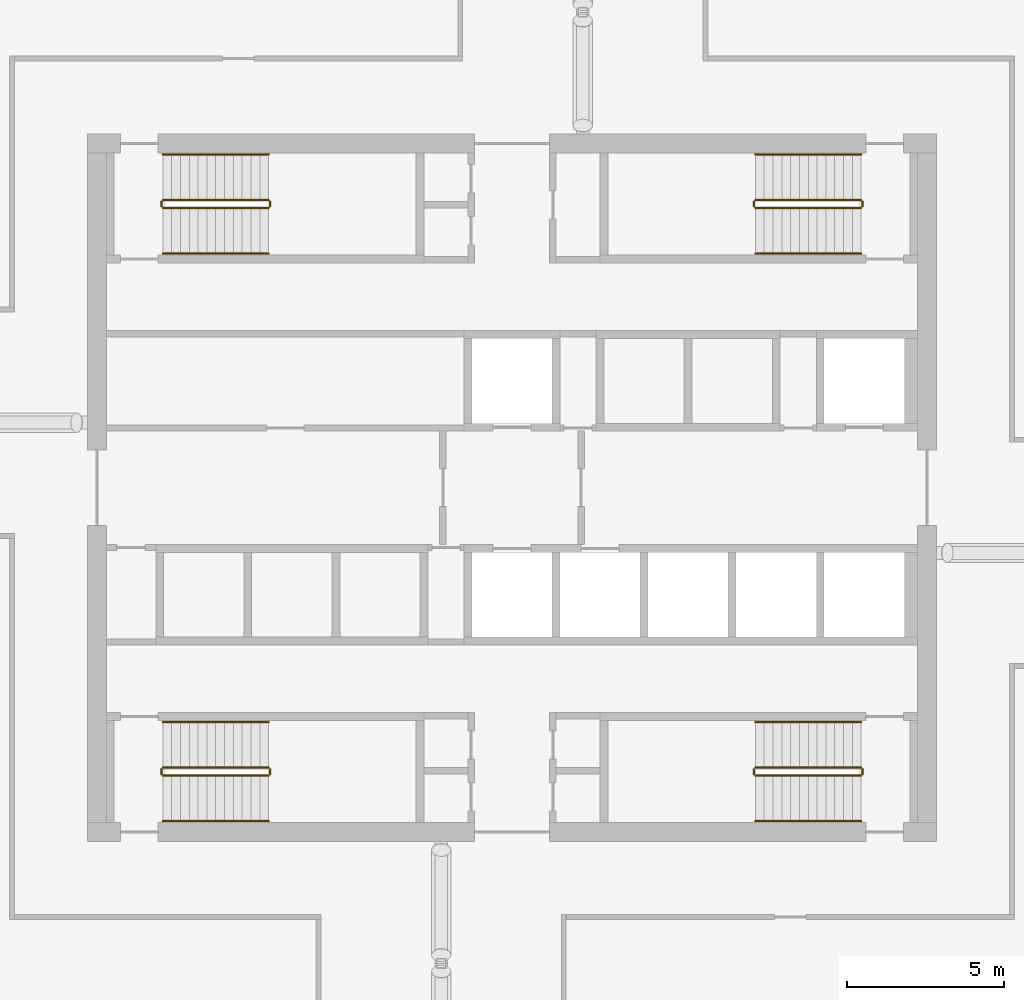
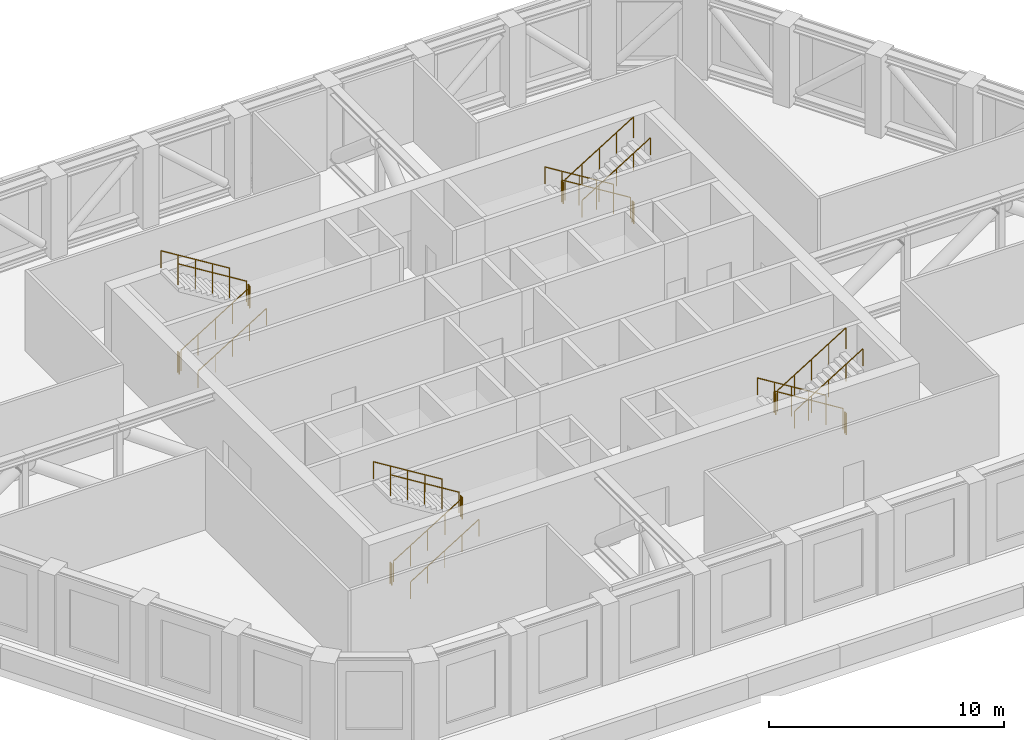
# One storey, part 15 of 15: 24 railings.
"""IFC4 building model written with IfcOpenShell, lengths in metres."""

from ifc_helpers import new_model, si_unit, direction, frame, origin, origin_2d, place, context, subcontext, project, spatial, circle, extrude, material, type_object, element, save


model = new_model("IFC4")

# Units and contexts
model_context = context("Model", 3, precision=1e-05, world=origin(), true_north=direction((0.0, 1.0)))
body_context = subcontext(model_context, "Body", "Model", "MODEL_VIEW")
ifc_project = project(units=[si_unit("LENGTHUNIT", "METRE"), si_unit("AREAUNIT", "SQUARE_METRE"), si_unit("VOLUMEUNIT", "CUBIC_METRE"), si_unit("PLANEANGLEUNIT", "RADIAN"), si_unit("MASSUNIT", "GRAM", prefix="KILO")], contexts=[model_context])

# Site, building, storey
site_placement = place(None, origin())
site = spatial("IfcSite", under=ifc_project, at=site_placement, CompositionType="ELEMENT")
building_placement = place(site_placement, origin())
building = spatial("IfcBuilding", under=site, at=building_placement, Name="Dhurran Vertical Campus", CompositionType="ELEMENT")
storey_placement = place(building_placement, frame((0.0, 0.0, 230.699951171875)))
storey = spatial("IfcBuildingStorey", under=building, at=storey_placement, Name="L57 Plant", CompositionType="ELEMENT", Elevation=230.699951171875)

# Railings
ifc_material_1 = material(Name="Stainless steel balustrade", Category="steel")
railing_type_1 = type_object("IfcRailingType", Name="co-RL-GUARD-1100", PredefinedType="GUARDRAIL", material=ifc_material_1)
railing_1_placement = place(storey_placement, frame((-11.10009765625, 8.89990234375, 0.173095703125)))
element("IfcRailing", 1, at=railing_1_placement, inside=storey, type_object=railing_type_1, Name="L57 Plant ST1 stair guard 1", PredefinedType="GUARDRAIL", context=body_context, shape_type="SweptSolid", body=[
    extrude(circle(Radius=0.02392578125, at=origin_2d()), frame((0.0, 0.0, 1.076171875), z_axis=(0.850623216509, 0.0, 0.525775754039), x_axis=(0.0, 1.0, 0.0)), (0.0, 0.0, 1.0), 3.9501953125),
    extrude(circle(Radius=0.02099609375, at=origin_2d()), origin(), (0.0, 0.0, 1.0), 1.052001953125),
    extrude(circle(Radius=0.02099609375, at=origin_2d()), frame((0.840087890625, 0.0, 0.519287109375)), (0.0, 0.0, 1.0), 1.052001953125),
    extrude(circle(Radius=0.02099609375, at=origin_2d()), frame((1.68017578125, 0.0, 1.03857421875)), (0.0, 0.0, 1.0), 1.052001953125),
    extrude(circle(Radius=0.02099609375, at=origin_2d()), frame((2.52001953125, 0.0, 1.5576171875)), (0.0, 0.0, 1.0), 1.052001953125),
    extrude(circle(Radius=0.02099609375, at=origin_2d()), frame((3.360107421875, 0.0, 2.076904296875)), (0.0, 0.0, 1.0), 1.052001953125),
])
railing_2_placement = place(storey_placement, frame((-7.68994140625, 8.949951171875, 2.25)))
element("IfcRailing", 2, at=railing_2_placement, inside=storey, type_object=railing_type_1, Name="L57 Plant ST1 stair guard 2", PredefinedType="GUARDRAIL", context=body_context, shape_type="SweptSolid", body=[
    extrude(circle(Radius=0.02392578125, at=origin_2d()), frame((0.0, 0.0, 1.076171875), z_axis=(0.0, 1.0, 0.0), x_axis=(-1.0, 0.0, 0.0)), (0.0, 0.0, 1.0), 0.150146484375),
    extrude(circle(Radius=0.02099609375, at=origin_2d()), origin(), (0.0, 0.0, 1.0), 1.052001953125),
    extrude(circle(Radius=0.02099609375, at=origin_2d()), frame((0.0, 0.150146484375, 0.0)), (0.0, 0.0, 1.0), 1.052001953125),
])
railing_3_placement = place(storey_placement, frame((-7.739990234375, 9.14990234375, 2.423095703125)))
element("IfcRailing", 3, at=railing_3_placement, inside=storey, type_object=railing_type_1, Name="L57 Plant ST1 stair guard 3", PredefinedType="GUARDRAIL", context=body_context, shape_type="SweptSolid", body=[
    extrude(circle(Radius=0.02392578125, at=origin_2d()), frame((0.0, 0.0, 1.076171875), z_axis=(-0.850623216509, 0.0, 0.525775754039), x_axis=(0.0, -1.0, 0.0)), (0.0, 0.0, 1.0), 3.9501953125),
    extrude(circle(Radius=0.02099609375, at=origin_2d()), origin(), (0.0, 0.0, 1.0), 1.052001953125),
    extrude(circle(Radius=0.02099609375, at=origin_2d()), frame((-0.840087890625, 0.0, 0.519287109375)), (0.0, 0.0, 1.0), 1.052001953125),
    extrude(circle(Radius=0.02099609375, at=origin_2d()), frame((-1.68017578125, 0.0, 1.03857421875)), (0.0, 0.0, 1.0), 1.052001953125),
    extrude(circle(Radius=0.02099609375, at=origin_2d()), frame((-2.52001953125, 0.0, 1.5576171875)), (0.0, 0.0, 1.0), 1.052001953125),
    extrude(circle(Radius=0.02099609375, at=origin_2d()), frame((-3.360107421875, 0.0, 2.076904296875)), (0.0, 0.0, 1.0), 1.052001953125),
])
railing_4_placement = place(storey_placement, frame((-11.14990234375, 8.949951171875, 0.0)))
element("IfcRailing", 4, at=railing_4_placement, inside=storey, type_object=railing_type_1, Name="L57 Plant ST1 stair guard 4", PredefinedType="GUARDRAIL", context=body_context, shape_type="SweptSolid", body=[
    extrude(circle(Radius=0.02392578125, at=origin_2d()), frame((0.0, 0.0, 1.076171875), z_axis=(0.0, 1.0, 0.0), x_axis=(-1.0, 0.0, 0.0)), (0.0, 0.0, 1.0), 0.150146484375),
    extrude(circle(Radius=0.02099609375, at=origin_2d()), origin(), (0.0, 0.0, 1.0), 1.052001953125),
    extrude(circle(Radius=0.02099609375, at=origin_2d()), frame((0.0, 0.150146484375, 0.0)), (0.0, 0.0, 1.0), 1.052001953125),
])
railing_5_placement = place(storey_placement, frame((11.10009765625, 9.14990234375, 0.173095703125)))
element("IfcRailing", 5, at=railing_5_placement, inside=storey, type_object=railing_type_1, Name="L57 Plant ST2 stair guard 1", PredefinedType="GUARDRAIL", context=body_context, shape_type="SweptSolid", body=[
    extrude(circle(Radius=0.02392578125, at=origin_2d()), frame((0.0, 0.0, 1.076171875), z_axis=(-0.850623216509, 0.0, 0.525775754039), x_axis=(0.0, -1.0, 0.0)), (0.0, 0.0, 1.0), 3.9501953125),
    extrude(circle(Radius=0.02099609375, at=origin_2d()), origin(), (0.0, 0.0, 1.0), 1.052001953125),
    extrude(circle(Radius=0.02099609375, at=origin_2d()), frame((-0.840087890625, 0.0, 0.519287109375)), (0.0, 0.0, 1.0), 1.052001953125),
    extrude(circle(Radius=0.02099609375, at=origin_2d()), frame((-1.68017578125, 0.0, 1.03857421875)), (0.0, 0.0, 1.0), 1.052001953125),
    extrude(circle(Radius=0.02099609375, at=origin_2d()), frame((-2.52001953125, 0.0, 1.5576171875)), (0.0, 0.0, 1.0), 1.052001953125),
    extrude(circle(Radius=0.02099609375, at=origin_2d()), frame((-3.360107421875, 0.0, 2.076904296875)), (0.0, 0.0, 1.0), 1.052001953125),
])
railing_6_placement = place(storey_placement, frame((7.68994140625, 9.10009765625, 2.25)))
element("IfcRailing", 6, at=railing_6_placement, inside=storey, type_object=railing_type_1, Name="L57 Plant ST2 stair guard 2", PredefinedType="GUARDRAIL", context=body_context, shape_type="SweptSolid", body=[
    extrude(circle(Radius=0.02392578125, at=origin_2d()), frame((0.0, 0.0, 1.076171875), z_axis=(0.0, -1.0, 0.0), x_axis=(1.0, 0.0, 0.0)), (0.0, 0.0, 1.0), 0.150146484375),
    extrude(circle(Radius=0.02099609375, at=origin_2d()), origin(), (0.0, 0.0, 1.0), 1.052001953125),
    extrude(circle(Radius=0.02099609375, at=origin_2d()), frame((0.0, -0.150146484375, 0.0)), (0.0, 0.0, 1.0), 1.052001953125),
])
railing_7_placement = place(storey_placement, frame((7.739990234375, 8.89990234375, 2.423095703125)))
element("IfcRailing", 7, at=railing_7_placement, inside=storey, type_object=railing_type_1, Name="L57 Plant ST2 stair guard 3", PredefinedType="GUARDRAIL", context=body_context, shape_type="SweptSolid", body=[
    extrude(circle(Radius=0.02392578125, at=origin_2d()), frame((0.0, 0.0, 1.076171875), z_axis=(0.850623216509, 0.0, 0.525775754039), x_axis=(0.0, 1.0, 0.0)), (0.0, 0.0, 1.0), 3.9501953125),
    extrude(circle(Radius=0.02099609375, at=origin_2d()), origin(), (0.0, 0.0, 1.0), 1.052001953125),
    extrude(circle(Radius=0.02099609375, at=origin_2d()), frame((0.840087890625, 0.0, 0.519287109375)), (0.0, 0.0, 1.0), 1.052001953125),
    extrude(circle(Radius=0.02099609375, at=origin_2d()), frame((1.68017578125, 0.0, 1.03857421875)), (0.0, 0.0, 1.0), 1.052001953125),
    extrude(circle(Radius=0.02099609375, at=origin_2d()), frame((2.52001953125, 0.0, 1.5576171875)), (0.0, 0.0, 1.0), 1.052001953125),
    extrude(circle(Radius=0.02099609375, at=origin_2d()), frame((3.360107421875, 0.0, 2.076904296875)), (0.0, 0.0, 1.0), 1.052001953125),
])
railing_8_placement = place(storey_placement, frame((11.14990234375, 9.10009765625, 0.0)))
element("IfcRailing", 8, at=railing_8_placement, inside=storey, type_object=railing_type_1, Name="L57 Plant ST2 stair guard 4", PredefinedType="GUARDRAIL", context=body_context, shape_type="SweptSolid", body=[
    extrude(circle(Radius=0.02392578125, at=origin_2d()), frame((0.0, 0.0, 1.076171875), z_axis=(0.0, -1.0, 0.0), x_axis=(1.0, 0.0, 0.0)), (0.0, 0.0, 1.0), 0.150146484375),
    extrude(circle(Radius=0.02099609375, at=origin_2d()), origin(), (0.0, 0.0, 1.0), 1.052001953125),
    extrude(circle(Radius=0.02099609375, at=origin_2d()), frame((0.0, -0.150146484375, 0.0)), (0.0, 0.0, 1.0), 1.052001953125),
])
railing_9_placement = place(storey_placement, frame((-11.10009765625, -9.14990234375, 0.173095703125)))
element("IfcRailing", 9, at=railing_9_placement, inside=storey, type_object=railing_type_1, Name="L57 Plant ST3 stair guard 1", PredefinedType="GUARDRAIL", context=body_context, shape_type="SweptSolid", body=[
    extrude(circle(Radius=0.02392578125, at=origin_2d()), frame((0.0, 0.0, 1.076171875), z_axis=(0.850623216509, 0.0, 0.525775754039), x_axis=(0.0, 1.0, 0.0)), (0.0, 0.0, 1.0), 3.9501953125),
    extrude(circle(Radius=0.02099609375, at=origin_2d()), origin(), (0.0, 0.0, 1.0), 1.052001953125),
    extrude(circle(Radius=0.02099609375, at=origin_2d()), frame((0.840087890625, 0.0, 0.519287109375)), (0.0, 0.0, 1.0), 1.052001953125),
    extrude(circle(Radius=0.02099609375, at=origin_2d()), frame((1.68017578125, 0.0, 1.03857421875)), (0.0, 0.0, 1.0), 1.052001953125),
    extrude(circle(Radius=0.02099609375, at=origin_2d()), frame((2.52001953125, 0.0, 1.5576171875)), (0.0, 0.0, 1.0), 1.052001953125),
    extrude(circle(Radius=0.02099609375, at=origin_2d()), frame((3.360107421875, 0.0, 2.076904296875)), (0.0, 0.0, 1.0), 1.052001953125),
])
railing_10_placement = place(storey_placement, frame((-7.68994140625, -9.10009765625, 2.25)))
element("IfcRailing", 10, at=railing_10_placement, inside=storey, type_object=railing_type_1, Name="L57 Plant ST3 stair guard 2", PredefinedType="GUARDRAIL", context=body_context, shape_type="SweptSolid", body=[
    extrude(circle(Radius=0.02392578125, at=origin_2d()), frame((0.0, 0.0, 1.076171875), z_axis=(0.0, 1.0, 0.0), x_axis=(-1.0, 0.0, 0.0)), (0.0, 0.0, 1.0), 0.150146484375),
    extrude(circle(Radius=0.02099609375, at=origin_2d()), origin(), (0.0, 0.0, 1.0), 1.052001953125),
    extrude(circle(Radius=0.02099609375, at=origin_2d()), frame((0.0, 0.150146484375, 0.0)), (0.0, 0.0, 1.0), 1.052001953125),
])
railing_11_placement = place(storey_placement, frame((-7.739990234375, -8.89990234375, 2.423095703125)))
element("IfcRailing", 11, at=railing_11_placement, inside=storey, type_object=railing_type_1, Name="L57 Plant ST3 stair guard 3", PredefinedType="GUARDRAIL", context=body_context, shape_type="SweptSolid", body=[
    extrude(circle(Radius=0.02392578125, at=origin_2d()), frame((0.0, 0.0, 1.076171875), z_axis=(-0.850623216509, 0.0, 0.525775754039), x_axis=(0.0, -1.0, 0.0)), (0.0, 0.0, 1.0), 3.9501953125),
    extrude(circle(Radius=0.02099609375, at=origin_2d()), origin(), (0.0, 0.0, 1.0), 1.052001953125),
    extrude(circle(Radius=0.02099609375, at=origin_2d()), frame((-0.840087890625, 0.0, 0.519287109375)), (0.0, 0.0, 1.0), 1.052001953125),
    extrude(circle(Radius=0.02099609375, at=origin_2d()), frame((-1.68017578125, 0.0, 1.03857421875)), (0.0, 0.0, 1.0), 1.052001953125),
    extrude(circle(Radius=0.02099609375, at=origin_2d()), frame((-2.52001953125, 0.0, 1.5576171875)), (0.0, 0.0, 1.0), 1.052001953125),
    extrude(circle(Radius=0.02099609375, at=origin_2d()), frame((-3.360107421875, 0.0, 2.076904296875)), (0.0, 0.0, 1.0), 1.052001953125),
])
railing_12_placement = place(storey_placement, frame((-11.14990234375, -9.10009765625, 0.0)))
element("IfcRailing", 12, at=railing_12_placement, inside=storey, type_object=railing_type_1, Name="L57 Plant ST3 stair guard 4", PredefinedType="GUARDRAIL", context=body_context, shape_type="SweptSolid", body=[
    extrude(circle(Radius=0.02392578125, at=origin_2d()), frame((0.0, 0.0, 1.076171875), z_axis=(0.0, 1.0, 0.0), x_axis=(-1.0, 0.0, 0.0)), (0.0, 0.0, 1.0), 0.150146484375),
    extrude(circle(Radius=0.02099609375, at=origin_2d()), origin(), (0.0, 0.0, 1.0), 1.052001953125),
    extrude(circle(Radius=0.02099609375, at=origin_2d()), frame((0.0, 0.150146484375, 0.0)), (0.0, 0.0, 1.0), 1.052001953125),
])
railing_13_placement = place(storey_placement, frame((11.10009765625, -8.89990234375, 0.173095703125)))
element("IfcRailing", 13, at=railing_13_placement, inside=storey, type_object=railing_type_1, Name="L57 Plant ST4 stair guard 1", PredefinedType="GUARDRAIL", context=body_context, shape_type="SweptSolid", body=[
    extrude(circle(Radius=0.02392578125, at=origin_2d()), frame((0.0, 0.0, 1.076171875), z_axis=(-0.850623216509, 0.0, 0.525775754039), x_axis=(0.0, -1.0, 0.0)), (0.0, 0.0, 1.0), 3.9501953125),
    extrude(circle(Radius=0.02099609375, at=origin_2d()), origin(), (0.0, 0.0, 1.0), 1.052001953125),
    extrude(circle(Radius=0.02099609375, at=origin_2d()), frame((-0.840087890625, 0.0, 0.519287109375)), (0.0, 0.0, 1.0), 1.052001953125),
    extrude(circle(Radius=0.02099609375, at=origin_2d()), frame((-1.68017578125, 0.0, 1.03857421875)), (0.0, 0.0, 1.0), 1.052001953125),
    extrude(circle(Radius=0.02099609375, at=origin_2d()), frame((-2.52001953125, 0.0, 1.5576171875)), (0.0, 0.0, 1.0), 1.052001953125),
    extrude(circle(Radius=0.02099609375, at=origin_2d()), frame((-3.360107421875, 0.0, 2.076904296875)), (0.0, 0.0, 1.0), 1.052001953125),
])
railing_14_placement = place(storey_placement, frame((7.68994140625, -8.949951171875, 2.25)))
element("IfcRailing", 14, at=railing_14_placement, inside=storey, type_object=railing_type_1, Name="L57 Plant ST4 stair guard 2", PredefinedType="GUARDRAIL", context=body_context, shape_type="SweptSolid", body=[
    extrude(circle(Radius=0.02392578125, at=origin_2d()), frame((0.0, 0.0, 1.076171875), z_axis=(0.0, -1.0, 0.0), x_axis=(1.0, 0.0, 0.0)), (0.0, 0.0, 1.0), 0.150146484375),
    extrude(circle(Radius=0.02099609375, at=origin_2d()), origin(), (0.0, 0.0, 1.0), 1.052001953125),
    extrude(circle(Radius=0.02099609375, at=origin_2d()), frame((0.0, -0.150146484375, 0.0)), (0.0, 0.0, 1.0), 1.052001953125),
])
railing_15_placement = place(storey_placement, frame((7.739990234375, -9.14990234375, 2.423095703125)))
element("IfcRailing", 15, at=railing_15_placement, inside=storey, type_object=railing_type_1, Name="L57 Plant ST4 stair guard 3", PredefinedType="GUARDRAIL", context=body_context, shape_type="SweptSolid", body=[
    extrude(circle(Radius=0.02392578125, at=origin_2d()), frame((0.0, 0.0, 1.076171875), z_axis=(0.850623216509, 0.0, 0.525775754039), x_axis=(0.0, 1.0, 0.0)), (0.0, 0.0, 1.0), 3.9501953125),
    extrude(circle(Radius=0.02099609375, at=origin_2d()), origin(), (0.0, 0.0, 1.0), 1.052001953125),
    extrude(circle(Radius=0.02099609375, at=origin_2d()), frame((0.840087890625, 0.0, 0.519287109375)), (0.0, 0.0, 1.0), 1.052001953125),
    extrude(circle(Radius=0.02099609375, at=origin_2d()), frame((1.68017578125, 0.0, 1.03857421875)), (0.0, 0.0, 1.0), 1.052001953125),
    extrude(circle(Radius=0.02099609375, at=origin_2d()), frame((2.52001953125, 0.0, 1.5576171875)), (0.0, 0.0, 1.0), 1.052001953125),
    extrude(circle(Radius=0.02099609375, at=origin_2d()), frame((3.360107421875, 0.0, 2.076904296875)), (0.0, 0.0, 1.0), 1.052001953125),
])
railing_16_placement = place(storey_placement, frame((11.14990234375, -8.949951171875, 0.0)))
element("IfcRailing", 16, at=railing_16_placement, inside=storey, type_object=railing_type_1, Name="L57 Plant ST4 stair guard 4", PredefinedType="GUARDRAIL", context=body_context, shape_type="SweptSolid", body=[
    extrude(circle(Radius=0.02392578125, at=origin_2d()), frame((0.0, 0.0, 1.076171875), z_axis=(0.0, -1.0, 0.0), x_axis=(1.0, 0.0, 0.0)), (0.0, 0.0, 1.0), 0.150146484375),
    extrude(circle(Radius=0.02099609375, at=origin_2d()), origin(), (0.0, 0.0, 1.0), 1.052001953125),
    extrude(circle(Radius=0.02099609375, at=origin_2d()), frame((0.0, -0.150146484375, 0.0)), (0.0, 0.0, 1.0), 1.052001953125),
])
ifc_material_2 = material(Name="Stainless steel handrail", Category="steel")
railing_type_2 = type_object("IfcRailingType", Name="co-RL-HANDRAIL-900", PredefinedType="HANDRAIL", material=ifc_material_2)
railing_17_placement = place(storey_placement, frame((-11.10009765625, 7.449951171875, 0.173095703125)))
element("IfcRailing", 17, at=railing_17_placement, inside=storey, type_object=railing_type_2, Name="L57 Plant ST1 stair handrail 1", PredefinedType="HANDRAIL", context=body_context, shape_type="SweptSolid", body=[
    extrude(circle(Radius=0.02392578125, at=origin_2d()), frame((0.0, 0.0, 0.8759765625), z_axis=(0.850623216509, 0.0, 0.525775754039), x_axis=(0.0, 1.0, 0.0)), (0.0, 0.0, 1.0), 3.9501953125),
    extrude(circle(Radius=0.02099609375, at=origin_2d()), origin(), (0.0, 0.0, 1.0), 0.851806640625),
    extrude(circle(Radius=0.02099609375, at=origin_2d()), frame((0.840087890625, 0.0, 0.519287109375)), (0.0, 0.0, 1.0), 0.851806640625),
    extrude(circle(Radius=0.02099609375, at=origin_2d()), frame((1.68017578125, 0.0, 1.03857421875)), (0.0, 0.0, 1.0), 0.851806640625),
    extrude(circle(Radius=0.02099609375, at=origin_2d()), frame((2.52001953125, 0.0, 1.5576171875)), (0.0, 0.0, 1.0), 0.851806640625),
    extrude(circle(Radius=0.02099609375, at=origin_2d()), frame((3.360107421875, 0.0, 2.076904296875)), (0.0, 0.0, 1.0), 0.851806640625),
])
for number, where, name in (
    (18, (-7.739990234375, 10.60009765625, 2.423095703125), "L57 Plant ST1 stair handrail 2"),
    (19, (11.10009765625, 10.60009765625, 0.173095703125), "L57 Plant ST2 stair handrail 1"),
):
    element("IfcRailing", number, at=place(storey_placement, frame(where)), inside=storey, type_object=railing_type_2, Name=name, PredefinedType="HANDRAIL", context=body_context, shape_type="SweptSolid", body=[
        extrude(circle(Radius=0.02392578125, at=origin_2d()), frame((0.0, 0.0, 0.8759765625), z_axis=(-0.850623216509, 0.0, 0.525775754039), x_axis=(0.0, -1.0, 0.0)), (0.0, 0.0, 1.0), 3.9501953125),
        extrude(circle(Radius=0.02099609375, at=origin_2d()), origin(), (0.0, 0.0, 1.0), 0.851806640625),
        extrude(circle(Radius=0.02099609375, at=origin_2d()), frame((-0.840087890625, 0.0, 0.519287109375)), (0.0, 0.0, 1.0), 0.851806640625),
        extrude(circle(Radius=0.02099609375, at=origin_2d()), frame((-1.68017578125, 0.0, 1.03857421875)), (0.0, 0.0, 1.0), 0.851806640625),
        extrude(circle(Radius=0.02099609375, at=origin_2d()), frame((-2.52001953125, 0.0, 1.5576171875)), (0.0, 0.0, 1.0), 0.851806640625),
        extrude(circle(Radius=0.02099609375, at=origin_2d()), frame((-3.360107421875, 0.0, 2.076904296875)), (0.0, 0.0, 1.0), 0.851806640625),
    ])
for number, where, name in (
    (20, (7.739990234375, 7.449951171875, 2.423095703125), "L57 Plant ST2 stair handrail 2"),
    (21, (-11.10009765625, -10.60009765625, 0.173095703125), "L57 Plant ST3 stair handrail 1"),
):
    element("IfcRailing", number, at=place(storey_placement, frame(where)), inside=storey, type_object=railing_type_2, Name=name, PredefinedType="HANDRAIL", context=body_context, shape_type="SweptSolid", body=[
        extrude(circle(Radius=0.02392578125, at=origin_2d()), frame((0.0, 0.0, 0.8759765625), z_axis=(0.850623216509, 0.0, 0.525775754039), x_axis=(0.0, 1.0, 0.0)), (0.0, 0.0, 1.0), 3.9501953125),
        extrude(circle(Radius=0.02099609375, at=origin_2d()), origin(), (0.0, 0.0, 1.0), 0.851806640625),
        extrude(circle(Radius=0.02099609375, at=origin_2d()), frame((0.840087890625, 0.0, 0.519287109375)), (0.0, 0.0, 1.0), 0.851806640625),
        extrude(circle(Radius=0.02099609375, at=origin_2d()), frame((1.68017578125, 0.0, 1.03857421875)), (0.0, 0.0, 1.0), 0.851806640625),
        extrude(circle(Radius=0.02099609375, at=origin_2d()), frame((2.52001953125, 0.0, 1.5576171875)), (0.0, 0.0, 1.0), 0.851806640625),
        extrude(circle(Radius=0.02099609375, at=origin_2d()), frame((3.360107421875, 0.0, 2.076904296875)), (0.0, 0.0, 1.0), 0.851806640625),
    ])
for number, where, name in (
    (22, (-7.739990234375, -7.449951171875, 2.423095703125), "L57 Plant ST3 stair handrail 2"),
    (23, (11.10009765625, -7.449951171875, 0.173095703125), "L57 Plant ST4 stair handrail 1"),
):
    element("IfcRailing", number, at=place(storey_placement, frame(where)), inside=storey, type_object=railing_type_2, Name=name, PredefinedType="HANDRAIL", context=body_context, shape_type="SweptSolid", body=[
        extrude(circle(Radius=0.02392578125, at=origin_2d()), frame((0.0, 0.0, 0.8759765625), z_axis=(-0.850623216509, 0.0, 0.525775754039), x_axis=(0.0, -1.0, 0.0)), (0.0, 0.0, 1.0), 3.9501953125),
        extrude(circle(Radius=0.02099609375, at=origin_2d()), origin(), (0.0, 0.0, 1.0), 0.851806640625),
        extrude(circle(Radius=0.02099609375, at=origin_2d()), frame((-0.840087890625, 0.0, 0.519287109375)), (0.0, 0.0, 1.0), 0.851806640625),
        extrude(circle(Radius=0.02099609375, at=origin_2d()), frame((-1.68017578125, 0.0, 1.03857421875)), (0.0, 0.0, 1.0), 0.851806640625),
        extrude(circle(Radius=0.02099609375, at=origin_2d()), frame((-2.52001953125, 0.0, 1.5576171875)), (0.0, 0.0, 1.0), 0.851806640625),
        extrude(circle(Radius=0.02099609375, at=origin_2d()), frame((-3.360107421875, 0.0, 2.076904296875)), (0.0, 0.0, 1.0), 0.851806640625),
    ])
railing_18_placement = place(storey_placement, frame((7.739990234375, -10.60009765625, 2.423095703125)))
element("IfcRailing", 24, at=railing_18_placement, inside=storey, type_object=railing_type_2, Name="L57 Plant ST4 stair handrail 2", PredefinedType="HANDRAIL", context=body_context, shape_type="SweptSolid", body=[
    extrude(circle(Radius=0.02392578125, at=origin_2d()), frame((0.0, 0.0, 0.8759765625), z_axis=(0.850623216509, 0.0, 0.525775754039), x_axis=(0.0, 1.0, 0.0)), (0.0, 0.0, 1.0), 3.9501953125),
    extrude(circle(Radius=0.02099609375, at=origin_2d()), origin(), (0.0, 0.0, 1.0), 0.851806640625),
    extrude(circle(Radius=0.02099609375, at=origin_2d()), frame((0.840087890625, 0.0, 0.519287109375)), (0.0, 0.0, 1.0), 0.851806640625),
    extrude(circle(Radius=0.02099609375, at=origin_2d()), frame((1.68017578125, 0.0, 1.03857421875)), (0.0, 0.0, 1.0), 0.851806640625),
    extrude(circle(Radius=0.02099609375, at=origin_2d()), frame((2.52001953125, 0.0, 1.5576171875)), (0.0, 0.0, 1.0), 0.851806640625),
    extrude(circle(Radius=0.02099609375, at=origin_2d()), frame((3.360107421875, 0.0, 2.076904296875)), (0.0, 0.0, 1.0), 0.851806640625),
])

save(model, "model.ifc")
